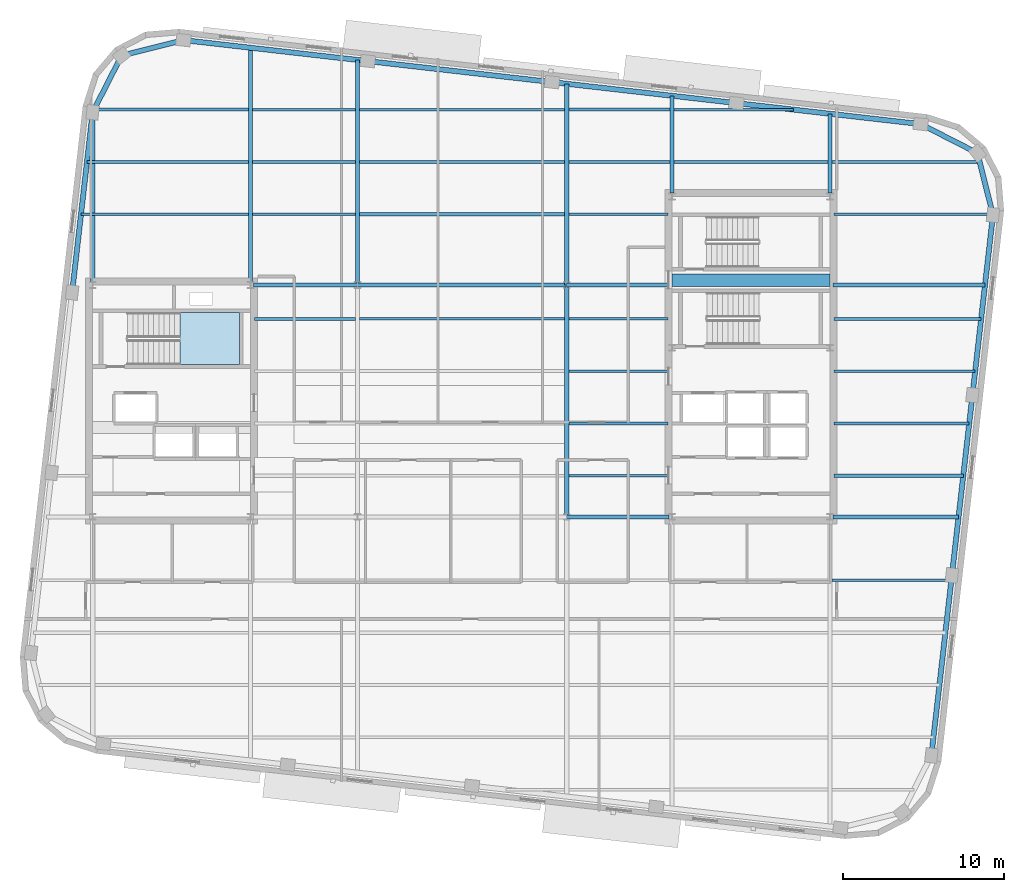
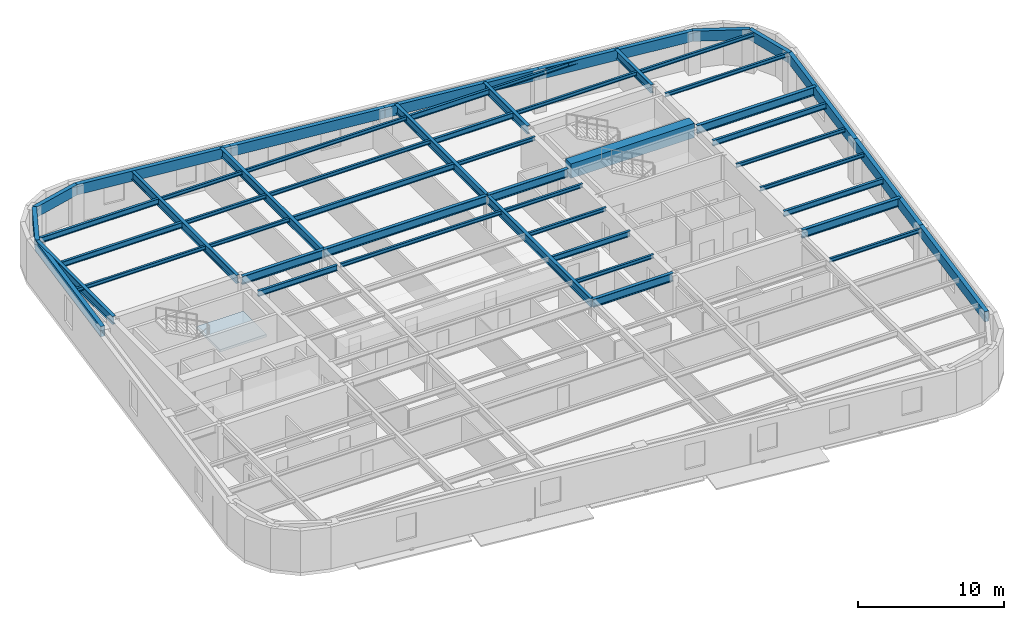
# One storey, part 4 of 13: 53 beams, 1 slab, 1 element without a shape of its own.
"""IFC4 building model written with IfcOpenShell, lengths in metres."""

from ifc_helpers import new_model, si_unit, direction, frame, origin, origin_2d, place, context, subcontext, project, spatial, polyline, rectangle, hollow_rectangle, i_section, outline, extrude, material, layer, layer_set, material_profile, profile_set, type_object, element, aggregate, save


model = new_model("IFC4")

# Units and contexts
model_context = context("Model", 3, precision=1e-05, world=origin(), true_north=direction((0.0, 1.0)))
body_context = subcontext(model_context, "Body", "Model", "MODEL_VIEW")
ifc_project = project(units=[si_unit("LENGTHUNIT", "METRE"), si_unit("AREAUNIT", "SQUARE_METRE"), si_unit("VOLUMEUNIT", "CUBIC_METRE"), si_unit("PLANEANGLEUNIT", "RADIAN"), si_unit("MASSUNIT", "GRAM", prefix="KILO")], contexts=[model_context])

# Site, building, storey
site_placement = place(None, origin())
site = spatial("IfcSite", under=ifc_project, at=site_placement, CompositionType="ELEMENT")
building_placement = place(site_placement, origin())
building = spatial("IfcBuilding", under=site, at=building_placement, Name="Kolvaren Arena Tower", CompositionType="ELEMENT")
storey_placement = place(building_placement, frame((0.0, 0.0, 243.449951171875)))
storey = spatial("IfcBuildingStorey", under=building, at=storey_placement, Name="L59", CompositionType="ELEMENT", Elevation=243.449951171875)

# Beams
ifc_material_1 = material(Name="Steel CSA G40.21 350W", Category="steel")
ifc_material_profile_1 = material_profile(ifc_material_1, i_section(OverallWidth=0.193115234375, OverallDepth=0.462890625, WebThickness=0.0107421875, FlangeThickness=0.0205078125, FilletRadius=0.012939453125, at=origin_2d()), Name="W460x113")
ifc_profile_set_1 = profile_set([ifc_material_profile_1], Name="Steel CSA G40.21 350W")
beam_type_1 = type_object("IfcBeamType", Name="BEAM-F2", PredefinedType="BEAM", material=ifc_profile_set_1)
beam_1_placement = place(storey_placement, frame((60.594970703125, 22.0, 3.24853515625), z_axis=(1.0, 0.0, 0.0), x_axis=(0.0, 1.0, 0.0)))
element("IfcBeam", 1, at=beam_1_placement, inside=storey, type_object=beam_type_1, Name="Composite Floor Beam (L59)", PredefinedType="BEAM", context=body_context, shape_type="SweptSolid", body=[
    extrude(i_section(OverallWidth=0.193115234375, OverallDepth=0.462890625, WebThickness=0.0107421875, FlangeThickness=0.0205078125, FilletRadius=0.012939453125, at=origin_2d()), origin(), (0.0, 0.0, 1.0), 8.041015625),
])
beam_2_placement = place(storey_placement, frame((44.12744140625, 25.25, 3.24853515625), z_axis=(1.0, 0.0, 0.0), x_axis=(0.0, 1.0, 0.0)))
element("IfcBeam", 2, at=beam_2_placement, inside=storey, type_object=beam_type_1, Name="Composite Floor Beam (L59)", PredefinedType="BEAM", context=body_context, shape_type="SweptSolid", body=[
    extrude(i_section(OverallWidth=0.193115234375, OverallDepth=0.462890625, WebThickness=0.0107421875, FlangeThickness=0.0205078125, FilletRadius=0.012939453125, at=origin_2d()), origin(), (0.0, 0.0, 1.0), 6.177490234375),
])
beam_3_placement = place(storey_placement, frame((24.594970703125, 31.75, 3.24853515625), z_axis=(1.0, 0.0, 0.0), x_axis=(0.0, 1.0, 0.0)))
element("IfcBeam", 3, at=beam_3_placement, inside=storey, type_object=beam_type_1, Name="Composite Floor Beam (L59)", PredefinedType="BEAM", context=body_context, shape_type="SweptSolid", body=[
    extrude(i_section(OverallWidth=0.193115234375, OverallDepth=0.462890625, WebThickness=0.0107421875, FlangeThickness=0.0205078125, FilletRadius=0.012939453125, at=origin_2d()), origin(), (0.0, 0.0, 1.0), 6.277587890625),
])
beam_4_placement = place(storey_placement, frame((60.594970703125, 31.75, 3.24853515625), z_axis=(1.0, 0.0, 0.0), x_axis=(0.0, 1.0, 0.0)))
element("IfcBeam", 4, at=beam_4_placement, inside=storey, type_object=beam_type_1, Name="Composite Floor Beam (L59)", PredefinedType="BEAM", context=body_context, shape_type="SweptSolid", body=[
    extrude(i_section(OverallWidth=0.193115234375, OverallDepth=0.462890625, WebThickness=0.0107421875, FlangeThickness=0.0205078125, FilletRadius=0.012939453125, at=origin_2d()), origin(), (0.0, 0.0, 1.0), 9.15185546875),
])
beam_5_placement = place(storey_placement, frame((31.12744140625, 38.25, 3.24853515625), z_axis=(1.0, 0.0, 0.0), x_axis=(0.0, 1.0, 0.0)))
element("IfcBeam", 5, at=beam_5_placement, inside=storey, type_object=beam_type_1, Name="Composite Floor Beam (L59)", PredefinedType="BEAM", context=body_context, shape_type="SweptSolid", body=[
    extrude(i_section(OverallWidth=0.193115234375, OverallDepth=0.462890625, WebThickness=0.0107421875, FlangeThickness=0.0205078125, FilletRadius=0.012939453125, at=origin_2d()), origin(), (0.0, 0.0, 1.0), 12.7451171875),
])
beam_6_placement = place(storey_placement, frame((14.193359375, 41.5, 3.24853515625), z_axis=(1.0, 0.0, 0.0), x_axis=(0.0, 1.0, 0.0)))
element("IfcBeam", 6, at=beam_6_placement, inside=storey, type_object=beam_type_1, Name="Composite Floor Beam (L59)", PredefinedType="BEAM", context=body_context, shape_type="SweptSolid", body=[
    extrude(i_section(OverallWidth=0.193115234375, OverallDepth=0.462890625, WebThickness=0.0107421875, FlangeThickness=0.0205078125, FilletRadius=0.012939453125, at=origin_2d()), origin(), (0.0, 0.0, 1.0), 10.029052734375),
])
beam_7_placement = place(storey_placement, frame((44.12744140625, 41.5, 3.24853515625), z_axis=(1.0, 0.0, 0.0), x_axis=(0.0, 1.0, 0.0)))
element("IfcBeam", 7, at=beam_7_placement, inside=storey, type_object=beam_type_1, Name="Composite Floor Beam (L59)", PredefinedType="BEAM", context=body_context, shape_type="SweptSolid", body=[
    extrude(i_section(OverallWidth=0.193115234375, OverallDepth=0.462890625, WebThickness=0.0107421875, FlangeThickness=0.0205078125, FilletRadius=0.012939453125, at=origin_2d()), origin(), (0.0, 0.0, 1.0), 6.295166015625),
])
beam_8_placement = place(storey_placement, frame((14.632080078125, 44.75, 3.24853515625), z_axis=(1.0, 0.0, 0.0), x_axis=(0.0, 1.0, 0.0)))
element("IfcBeam", 8, at=beam_8_placement, inside=storey, type_object=beam_type_1, Name="Composite Floor Beam (L59)", PredefinedType="BEAM", context=body_context, shape_type="SweptSolid", body=[
    extrude(i_section(OverallWidth=0.193115234375, OverallDepth=0.462890625, WebThickness=0.0107421875, FlangeThickness=0.0205078125, FilletRadius=0.012939453125, at=origin_2d()), origin(), (0.0, 0.0, 1.0), 9.59033203125),
])
beam_9_placement = place(storey_placement, frame((44.12744140625, 44.75, 3.24853515625), z_axis=(1.0, 0.0, 0.0), x_axis=(0.0, 1.0, 0.0)))
element("IfcBeam", 9, at=beam_9_placement, inside=storey, type_object=beam_type_1, Name="Composite Floor Beam (L59)", PredefinedType="BEAM", context=body_context, shape_type="SweptSolid", body=[
    extrude(i_section(OverallWidth=0.193115234375, OverallDepth=0.462890625, WebThickness=0.0107421875, FlangeThickness=0.0205078125, FilletRadius=0.012939453125, at=origin_2d()), origin(), (0.0, 0.0, 1.0), 6.295166015625),
])
ifc_material_2 = material(Name="Concrete 60 MPa", Category="concrete")
ifc_material_profile_2 = material_profile(ifc_material_2, rectangle(XDim=0.75, YDim=1.199951171875, at=origin_2d()), Name="RC-750x1200")
ifc_profile_set_2 = profile_set([ifc_material_profile_2], Name="Concrete 60 MPa")
beam_type_2 = type_object("IfcBeamType", Name="CB-CORE-2", PredefinedType="BEAM", material=ifc_profile_set_2)
beam_10_placement = place(storey_placement, frame((50.550048828125, 34.14990234375, 3.150146484375), z_axis=(1.0, 0.0, 0.0), x_axis=(0.0, 1.0, 0.0)))
element("IfcBeam", 10, at=beam_10_placement, inside=storey, type_object=beam_type_2, Name="East Core Coupling Beam (L59)", PredefinedType="BEAM", context=body_context, shape_type="SweptSolid", body=[
    extrude(rectangle(XDim=0.75, YDim=1.199951171875, at=origin_2d()), origin(), (0.0, 0.0, 1.0), 9.800048828125),
])
ifc_material_profile_3 = material_profile(ifc_material_1, i_section(OverallWidth=0.2548828125, OverallDepth=0.695068359375, WebThickness=0.01708984375, FlangeThickness=0.02978515625, FilletRadius=0.01611328125, at=origin_2d()), Name="W690x217")
ifc_profile_set_3 = profile_set([ifc_material_profile_3], Name="Steel CSA G40.21 350W")
beam_type_3 = type_object("IfcBeamType", Name="GIRD-T2", PredefinedType="BEAM", material=ifc_profile_set_3)
beam_11_placement = place(storey_placement, frame((44.0, 19.449951171875, 3.132568359375), z_axis=(1.0, 0.0, 0.0), x_axis=(0.0, 1.0, 0.0)))
element("IfcBeam", 11, at=beam_11_placement, inside=storey, type_object=beam_type_3, Name="Primary Floor Girder (L59)", PredefinedType="BEAM", context=body_context, shape_type="SweptSolid", body=[
    extrude(i_section(OverallWidth=0.2548828125, OverallDepth=0.695068359375, WebThickness=0.01708984375, FlangeThickness=0.02978515625, FilletRadius=0.01611328125, at=origin_2d()), origin(), (0.0, 0.0, 1.0), 6.344970703125),
])
beam_12_placement = place(storey_placement, frame((60.554931640625, 19.449951171875, 3.132568359375), z_axis=(1.0, 0.0, 0.0), x_axis=(0.0, 1.0, 0.0)))
element("IfcBeam", 12, at=beam_12_placement, inside=storey, type_object=beam_type_3, Name="Primary Floor Girder (L59)", PredefinedType="BEAM", context=body_context, shape_type="SweptSolid", body=[
    extrude(i_section(OverallWidth=0.2548828125, OverallDepth=0.695068359375, WebThickness=0.01708984375, FlangeThickness=0.02978515625, FilletRadius=0.01611328125, at=origin_2d()), origin(), (0.0, 0.0, 1.0), 7.790283203125),
])
beam_13_placement = place(storey_placement, frame((24.554931640625, 33.85009765625, 3.132568359375), z_axis=(1.0, 0.0, 0.0), x_axis=(0.0, 1.0, 0.0)))
element("IfcBeam", 13, at=beam_13_placement, inside=storey, type_object=beam_type_3, Name="Primary Floor Girder (L59)", PredefinedType="BEAM", context=body_context, shape_type="SweptSolid", body=[
    extrude(i_section(OverallWidth=0.2548828125, OverallDepth=0.695068359375, WebThickness=0.01708984375, FlangeThickness=0.02978515625, FilletRadius=0.01611328125, at=origin_2d()), origin(), (0.0, 0.0, 1.0), 6.445068359375),
])
beam_14_placement = place(storey_placement, frame((31.0, 33.85009765625, 3.132568359375), z_axis=(1.0, 0.0, 0.0), x_axis=(0.0, 1.0, 0.0)))
element("IfcBeam", 14, at=beam_14_placement, inside=storey, type_object=beam_type_3, Name="Primary Floor Girder (L59)", PredefinedType="BEAM", context=body_context, shape_type="SweptSolid", body=[
    extrude(i_section(OverallWidth=0.2548828125, OverallDepth=0.695068359375, WebThickness=0.01708984375, FlangeThickness=0.02978515625, FilletRadius=0.01611328125, at=origin_2d()), origin(), (0.0, 0.0, 1.0), 13.0),
])
beam_15_placement = place(storey_placement, frame((44.0, 33.85009765625, 3.132568359375), z_axis=(1.0, 0.0, 0.0), x_axis=(0.0, 1.0, 0.0)))
element("IfcBeam", 15, at=beam_15_placement, inside=storey, type_object=beam_type_3, Name="Primary Floor Girder (L59)", PredefinedType="BEAM", context=body_context, shape_type="SweptSolid", body=[
    extrude(i_section(OverallWidth=0.2548828125, OverallDepth=0.695068359375, WebThickness=0.01708984375, FlangeThickness=0.02978515625, FilletRadius=0.01611328125, at=origin_2d()), origin(), (0.0, 0.0, 1.0), 6.344970703125),
])
beam_16_placement = place(storey_placement, frame((60.554931640625, 33.85009765625, 3.132568359375), z_axis=(1.0, 0.0, 0.0), x_axis=(0.0, 1.0, 0.0)))
element("IfcBeam", 16, at=beam_16_placement, inside=storey, type_object=beam_type_3, Name="Primary Floor Girder (L59)", PredefinedType="BEAM", context=body_context, shape_type="SweptSolid", body=[
    extrude(i_section(OverallWidth=0.2548828125, OverallDepth=0.695068359375, WebThickness=0.01708984375, FlangeThickness=0.02978515625, FilletRadius=0.01611328125, at=origin_2d()), origin(), (0.0, 0.0, 1.0), 9.43115234375),
])
beam_17_placement = place(storey_placement, frame((14.550048828125, 34.054931640625, 3.132568359375), z_axis=(0.0, 1.0, 0.0), x_axis=(-1.0, 0.0, 0.0)))
element("IfcBeam", 17, at=beam_17_placement, inside=storey, type_object=beam_type_3, Name="Primary Floor Girder (L59)", PredefinedType="BEAM", context=body_context, shape_type="SweptSolid", body=[
    extrude(i_section(OverallWidth=0.2548828125, OverallDepth=0.695068359375, WebThickness=0.01708984375, FlangeThickness=0.02978515625, FilletRadius=0.01611328125, at=origin_2d()), origin(), (0.0, 0.0, 1.0), 10.53466796875),
])
beam_18_placement = place(storey_placement, frame((24.35009765625, 34.054931640625, 3.132568359375), z_axis=(0.0, 1.0, 0.0), x_axis=(-1.0, 0.0, 0.0)))
element("IfcBeam", 18, at=beam_18_placement, inside=storey, type_object=beam_type_3, Name="Primary Floor Girder (L59)", PredefinedType="BEAM", context=body_context, shape_type="SweptSolid", body=[
    extrude(i_section(OverallWidth=0.2548828125, OverallDepth=0.695068359375, WebThickness=0.01708984375, FlangeThickness=0.02978515625, FilletRadius=0.01611328125, at=origin_2d()), origin(), (0.0, 0.0, 1.0), 14.538818359375),
])
beam_19_placement = place(storey_placement, frame((31.0, 33.85009765625, 3.132568359375), z_axis=(0.0, 1.0, 0.0), x_axis=(-1.0, 0.0, 0.0)))
element("IfcBeam", 19, at=beam_19_placement, inside=storey, type_object=beam_type_3, Name="Primary Floor Girder (L59)", PredefinedType="BEAM", context=body_context, shape_type="SweptSolid", body=[
    extrude(i_section(OverallWidth=0.2548828125, OverallDepth=0.695068359375, WebThickness=0.01708984375, FlangeThickness=0.02978515625, FilletRadius=0.01611328125, at=origin_2d()), origin(), (0.0, 0.0, 1.0), 13.986083984375),
])
beam_20_placement = place(storey_placement, frame((44.0, 19.449951171875, 3.132568359375), z_axis=(0.0, 1.0, 0.0), x_axis=(-1.0, 0.0, 0.0)))
element("IfcBeam", 20, at=beam_20_placement, inside=storey, type_object=beam_type_3, Name="Primary Floor Girder (L59)", PredefinedType="BEAM", context=body_context, shape_type="SweptSolid", body=[
    extrude(i_section(OverallWidth=0.2548828125, OverallDepth=0.695068359375, WebThickness=0.01708984375, FlangeThickness=0.02978515625, FilletRadius=0.01611328125, at=origin_2d()), origin(), (0.0, 0.0, 1.0), 14.400146484375),
])
beam_21_placement = place(storey_placement, frame((44.0, 33.85009765625, 3.132568359375), z_axis=(0.0, 1.0, 0.0), x_axis=(-1.0, 0.0, 0.0)))
element("IfcBeam", 21, at=beam_21_placement, inside=storey, type_object=beam_type_3, Name="Primary Floor Girder (L59)", PredefinedType="BEAM", context=body_context, shape_type="SweptSolid", body=[
    extrude(i_section(OverallWidth=0.2548828125, OverallDepth=0.695068359375, WebThickness=0.01708984375, FlangeThickness=0.02978515625, FilletRadius=0.01611328125, at=origin_2d()), origin(), (0.0, 0.0, 1.0), 12.5048828125),
])
beam_22_placement = place(storey_placement, frame((50.550048828125, 39.554931640625, 3.132568359375), z_axis=(0.0, 1.0, 0.0), x_axis=(-1.0, 0.0, 0.0)))
element("IfcBeam", 22, at=beam_22_placement, inside=storey, type_object=beam_type_3, Name="Primary Floor Girder (L59)", PredefinedType="BEAM", context=body_context, shape_type="SweptSolid", body=[
    extrude(i_section(OverallWidth=0.2548828125, OverallDepth=0.695068359375, WebThickness=0.01708984375, FlangeThickness=0.02978515625, FilletRadius=0.01611328125, at=origin_2d()), origin(), (0.0, 0.0, 1.0), 6.0537109375),
])
beam_23_placement = place(storey_placement, frame((60.35009765625, 39.554931640625, 3.132568359375), z_axis=(0.0, 1.0, 0.0), x_axis=(-1.0, 0.0, 0.0)))
element("IfcBeam", 23, at=beam_23_placement, inside=storey, type_object=beam_type_3, Name="Primary Floor Girder (L59)", PredefinedType="BEAM", context=body_context, shape_type="SweptSolid", body=[
    extrude(i_section(OverallWidth=0.2548828125, OverallDepth=0.695068359375, WebThickness=0.01708984375, FlangeThickness=0.02978515625, FilletRadius=0.01611328125, at=origin_2d()), origin(), (0.0, 0.0, 1.0), 4.937255859375),
])
ifc_material_profile_4 = material_profile(ifc_material_1, i_section(OverallWidth=0.1669921875, OverallDepth=0.31689453125, WebThickness=0.007568359375, FlangeThickness=0.01318359375, FilletRadius=0.010009765625, at=origin_2d()), Name="W310x52")
ifc_profile_set_4 = profile_set([ifc_material_profile_4], Name="Steel CSA G40.21 350W")
beam_type_4 = type_object("IfcBeamType", Name="JOIST-02", PredefinedType="JOIST", material=ifc_profile_set_4)
beam_24_placement = place(storey_placement, frame((60.4775390625, 15.5, 3.321533203125), z_axis=(1.0, 0.0, 0.0), x_axis=(0.0, 1.0, 0.0)))
element("IfcBeam", 24, at=beam_24_placement, inside=storey, type_object=beam_type_4, Name="Composite Floor Joist (L59)", PredefinedType="JOIST", context=body_context, shape_type="SweptSolid", body=[
    extrude(i_section(OverallWidth=0.1669921875, OverallDepth=0.31689453125, WebThickness=0.007568359375, FlangeThickness=0.01318359375, FilletRadius=0.010009765625, at=origin_2d()), origin(), (0.0, 0.0, 1.0), 7.417724609375),
])
beam_25_placement = place(storey_placement, frame((44.12744140625, 22.0, 3.321533203125), z_axis=(1.0, 0.0, 0.0), x_axis=(0.0, 1.0, 0.0)))
element("IfcBeam", 25, at=beam_25_placement, inside=storey, type_object=beam_type_4, Name="Composite Floor Joist (L59)", PredefinedType="JOIST", context=body_context, shape_type="SweptSolid", body=[
    extrude(i_section(OverallWidth=0.1669921875, OverallDepth=0.31689453125, WebThickness=0.007568359375, FlangeThickness=0.01318359375, FilletRadius=0.010009765625, at=origin_2d()), origin(), (0.0, 0.0, 1.0), 6.177490234375),
])
beam_26_placement = place(storey_placement, frame((60.594970703125, 25.25, 3.321533203125), z_axis=(1.0, 0.0, 0.0), x_axis=(0.0, 1.0, 0.0)))
element("IfcBeam", 26, at=beam_26_placement, inside=storey, type_object=beam_type_4, Name="Composite Floor Joist (L59)", PredefinedType="JOIST", context=body_context, shape_type="SweptSolid", body=[
    extrude(i_section(OverallWidth=0.1669921875, OverallDepth=0.31689453125, WebThickness=0.007568359375, FlangeThickness=0.01318359375, FilletRadius=0.010009765625, at=origin_2d()), origin(), (0.0, 0.0, 1.0), 8.4111328125),
])
beam_27_placement = place(storey_placement, frame((44.12744140625, 28.5, 3.321533203125), z_axis=(1.0, 0.0, 0.0), x_axis=(0.0, 1.0, 0.0)))
element("IfcBeam", 27, at=beam_27_placement, inside=storey, type_object=beam_type_4, Name="Composite Floor Joist (L59)", PredefinedType="JOIST", context=body_context, shape_type="SweptSolid", body=[
    extrude(i_section(OverallWidth=0.1669921875, OverallDepth=0.31689453125, WebThickness=0.007568359375, FlangeThickness=0.01318359375, FilletRadius=0.010009765625, at=origin_2d()), origin(), (0.0, 0.0, 1.0), 6.177490234375),
])
beam_28_placement = place(storey_placement, frame((60.594970703125, 28.5, 3.321533203125), z_axis=(1.0, 0.0, 0.0), x_axis=(0.0, 1.0, 0.0)))
element("IfcBeam", 28, at=beam_28_placement, inside=storey, type_object=beam_type_4, Name="Composite Floor Joist (L59)", PredefinedType="JOIST", context=body_context, shape_type="SweptSolid", body=[
    extrude(i_section(OverallWidth=0.1669921875, OverallDepth=0.31689453125, WebThickness=0.007568359375, FlangeThickness=0.01318359375, FilletRadius=0.010009765625, at=origin_2d()), origin(), (0.0, 0.0, 1.0), 8.781494140625),
])
beam_29_placement = place(storey_placement, frame((31.12744140625, 31.75, 3.321533203125), z_axis=(1.0, 0.0, 0.0), x_axis=(0.0, 1.0, 0.0)))
element("IfcBeam", 29, at=beam_29_placement, inside=storey, type_object=beam_type_4, Name="Composite Floor Joist (L59)", PredefinedType="JOIST", context=body_context, shape_type="SweptSolid", body=[
    extrude(i_section(OverallWidth=0.1669921875, OverallDepth=0.31689453125, WebThickness=0.007568359375, FlangeThickness=0.01318359375, FilletRadius=0.010009765625, at=origin_2d()), origin(), (0.0, 0.0, 1.0), 12.7451171875),
])
beam_30_placement = place(storey_placement, frame((44.12744140625, 31.75, 3.321533203125), z_axis=(1.0, 0.0, 0.0), x_axis=(0.0, 1.0, 0.0)))
element("IfcBeam", 30, at=beam_30_placement, inside=storey, type_object=beam_type_4, Name="Composite Floor Joist (L59)", PredefinedType="JOIST", context=body_context, shape_type="SweptSolid", body=[
    extrude(i_section(OverallWidth=0.1669921875, OverallDepth=0.31689453125, WebThickness=0.007568359375, FlangeThickness=0.01318359375, FilletRadius=0.010009765625, at=origin_2d()), origin(), (0.0, 0.0, 1.0), 6.177490234375),
])
beam_31_placement = place(storey_placement, frame((13.822998046875, 38.25, 3.321533203125), z_axis=(1.0, 0.0, 0.0), x_axis=(0.0, 1.0, 0.0)))
element("IfcBeam", 31, at=beam_31_placement, inside=storey, type_object=beam_type_4, Name="Composite Floor Joist (L59)", PredefinedType="JOIST", context=body_context, shape_type="SweptSolid", body=[
    extrude(i_section(OverallWidth=0.1669921875, OverallDepth=0.31689453125, WebThickness=0.007568359375, FlangeThickness=0.01318359375, FilletRadius=0.010009765625, at=origin_2d()), origin(), (0.0, 0.0, 1.0), 10.3994140625),
])
beam_32_placement = place(storey_placement, frame((24.4775390625, 38.25, 3.321533203125), z_axis=(1.0, 0.0, 0.0), x_axis=(0.0, 1.0, 0.0)))
element("IfcBeam", 32, at=beam_32_placement, inside=storey, type_object=beam_type_4, Name="Composite Floor Joist (L59)", PredefinedType="JOIST", context=body_context, shape_type="SweptSolid", body=[
    extrude(i_section(OverallWidth=0.1669921875, OverallDepth=0.31689453125, WebThickness=0.007568359375, FlangeThickness=0.01318359375, FilletRadius=0.010009765625, at=origin_2d()), origin(), (0.0, 0.0, 1.0), 6.39501953125),
])
beam_33_placement = place(storey_placement, frame((44.12744140625, 38.25, 3.321533203125), z_axis=(1.0, 0.0, 0.0), x_axis=(0.0, 1.0, 0.0)))
element("IfcBeam", 33, at=beam_33_placement, inside=storey, type_object=beam_type_4, Name="Composite Floor Joist (L59)", PredefinedType="JOIST", context=body_context, shape_type="SweptSolid", body=[
    extrude(i_section(OverallWidth=0.1669921875, OverallDepth=0.31689453125, WebThickness=0.007568359375, FlangeThickness=0.01318359375, FilletRadius=0.010009765625, at=origin_2d()), origin(), (0.0, 0.0, 1.0), 6.177490234375),
])
beam_34_placement = place(storey_placement, frame((60.594970703125, 38.25, 3.321533203125), z_axis=(1.0, 0.0, 0.0), x_axis=(0.0, 1.0, 0.0)))
element("IfcBeam", 34, at=beam_34_placement, inside=storey, type_object=beam_type_4, Name="Composite Floor Joist (L59)", PredefinedType="JOIST", context=body_context, shape_type="SweptSolid", body=[
    extrude(i_section(OverallWidth=0.1669921875, OverallDepth=0.31689453125, WebThickness=0.007568359375, FlangeThickness=0.01318359375, FilletRadius=0.010009765625, at=origin_2d()), origin(), (0.0, 0.0, 1.0), 9.8759765625),
])
beam_35_placement = place(storey_placement, frame((24.4775390625, 41.5, 3.321533203125), z_axis=(1.0, 0.0, 0.0), x_axis=(0.0, 1.0, 0.0)))
element("IfcBeam", 35, at=beam_35_placement, inside=storey, type_object=beam_type_4, Name="Composite Floor Joist (L59)", PredefinedType="JOIST", context=body_context, shape_type="SweptSolid", body=[
    extrude(i_section(OverallWidth=0.1669921875, OverallDepth=0.31689453125, WebThickness=0.007568359375, FlangeThickness=0.01318359375, FilletRadius=0.010009765625, at=origin_2d()), origin(), (0.0, 0.0, 1.0), 6.39501953125),
])
beam_36_placement = place(storey_placement, frame((31.12744140625, 41.5, 3.321533203125), z_axis=(1.0, 0.0, 0.0), x_axis=(0.0, 1.0, 0.0)))
element("IfcBeam", 36, at=beam_36_placement, inside=storey, type_object=beam_type_4, Name="Composite Floor Joist (L59)", PredefinedType="JOIST", context=body_context, shape_type="SweptSolid", body=[
    extrude(i_section(OverallWidth=0.1669921875, OverallDepth=0.31689453125, WebThickness=0.007568359375, FlangeThickness=0.01318359375, FilletRadius=0.010009765625, at=origin_2d()), origin(), (0.0, 0.0, 1.0), 12.7451171875),
])
beam_37_placement = place(storey_placement, frame((50.677490234375, 41.5, 3.321533203125), z_axis=(1.0, 0.0, 0.0), x_axis=(0.0, 1.0, 0.0)))
element("IfcBeam", 37, at=beam_37_placement, inside=storey, type_object=beam_type_4, Name="Composite Floor Joist (L59)", PredefinedType="JOIST", context=body_context, shape_type="SweptSolid", body=[
    extrude(i_section(OverallWidth=0.1669921875, OverallDepth=0.31689453125, WebThickness=0.007568359375, FlangeThickness=0.01318359375, FilletRadius=0.010009765625, at=origin_2d()), origin(), (0.0, 0.0, 1.0), 9.544921875),
])
beam_38_placement = place(storey_placement, frame((60.4775390625, 41.5, 3.321533203125), z_axis=(1.0, 0.0, 0.0), x_axis=(0.0, 1.0, 0.0)))
element("IfcBeam", 38, at=beam_38_placement, inside=storey, type_object=beam_type_4, Name="Composite Floor Joist (L59)", PredefinedType="JOIST", context=body_context, shape_type="SweptSolid", body=[
    extrude(i_section(OverallWidth=0.1669921875, OverallDepth=0.31689453125, WebThickness=0.007568359375, FlangeThickness=0.01318359375, FilletRadius=0.010009765625, at=origin_2d()), origin(), (0.0, 0.0, 1.0), 9.17919921875),
])
beam_39_placement = place(storey_placement, frame((24.4775390625, 44.75, 3.321533203125), z_axis=(1.0, 0.0, 0.0), x_axis=(0.0, 1.0, 0.0)))
element("IfcBeam", 39, at=beam_39_placement, inside=storey, type_object=beam_type_4, Name="Composite Floor Joist (L59)", PredefinedType="JOIST", context=body_context, shape_type="SweptSolid", body=[
    extrude(i_section(OverallWidth=0.1669921875, OverallDepth=0.31689453125, WebThickness=0.007568359375, FlangeThickness=0.01318359375, FilletRadius=0.010009765625, at=origin_2d()), origin(), (0.0, 0.0, 1.0), 6.39501953125),
])
beam_40_placement = place(storey_placement, frame((31.12744140625, 44.75, 3.321533203125), z_axis=(1.0, 0.0, 0.0), x_axis=(0.0, 1.0, 0.0)))
element("IfcBeam", 40, at=beam_40_placement, inside=storey, type_object=beam_type_4, Name="Composite Floor Joist (L59)", PredefinedType="JOIST", context=body_context, shape_type="SweptSolid", body=[
    extrude(i_section(OverallWidth=0.1669921875, OverallDepth=0.31689453125, WebThickness=0.007568359375, FlangeThickness=0.01318359375, FilletRadius=0.010009765625, at=origin_2d()), origin(), (0.0, 0.0, 1.0), 12.7451171875),
])
beam_41_placement = place(storey_placement, frame((50.677490234375, 44.75, 3.321533203125), z_axis=(1.0, 0.0, 0.0), x_axis=(0.0, 1.0, 0.0)))
element("IfcBeam", 41, at=beam_41_placement, inside=storey, type_object=beam_type_4, Name="Composite Floor Joist (L59)", PredefinedType="JOIST", context=body_context, shape_type="SweptSolid", body=[
    extrude(i_section(OverallWidth=0.1669921875, OverallDepth=0.31689453125, WebThickness=0.007568359375, FlangeThickness=0.01318359375, FilletRadius=0.010009765625, at=origin_2d()), origin(), (0.0, 0.0, 1.0), 7.40869140625),
])
ifc_material_3 = material(Name="Steel CSA G40.21 350WT", Category="steel")
ifc_material_profile_5 = material_profile(ifc_material_3, hollow_rectangle(XDim=0.320068359375, YDim=0.860107421875, WallThickness=0.01806640625, at=origin_2d()), Name="HSS 860x320x18")
ifc_profile_set_5 = profile_set([ifc_material_profile_5], Name="Steel CSA G40.21 350WT")
beam_type_5 = type_object("IfcBeamType", Name="SPAND-02", PredefinedType="SPANDREL", material=ifc_profile_set_5)
beam_42_placement = place(storey_placement, frame((66.656005859375, 4.6220703125, 3.050048828125), z_axis=(0.113201896536, 0.993572005755, 0.0), x_axis=(-0.993572005755, 0.113201896536, 0.0)))
element("IfcBeam", 42, at=beam_42_placement, inside=storey, type_object=beam_type_5, Name="Perimeter Spandrel Beam (L59)", PredefinedType="SPANDREL", context=body_context, shape_type="SweptSolid", body=[
    extrude(hollow_rectangle(XDim=0.320068359375, YDim=0.860107421875, WallThickness=0.01806640625, at=origin_2d()), origin(), (0.0, 0.0, 1.0), 11.2666015625),
])
beam_43_placement = place(storey_placement, frame((67.931396484375, 15.816162109375, 3.050048828125), z_axis=(0.113199459318, 0.993572283435, 0.0), x_axis=(-0.993572283435, 0.113199459318, 0.0)))
element("IfcBeam", 43, at=beam_43_placement, inside=storey, type_object=beam_type_5, Name="Perimeter Spandrel Beam (L59)", PredefinedType="SPANDREL", context=body_context, shape_type="SweptSolid", body=[
    extrude(hollow_rectangle(XDim=0.320068359375, YDim=0.860107421875, WallThickness=0.01806640625, at=origin_2d()), origin(), (0.0, 0.0, 1.0), 11.266845703125),
])
beam_44_placement = place(storey_placement, frame((69.206787109375, 27.010498046875, 3.050048828125), z_axis=(0.113201896536, 0.993572005755, 0.0), x_axis=(-0.993572005755, 0.113201896536, 0.0)))
element("IfcBeam", 44, at=beam_44_placement, inside=storey, type_object=beam_type_5, Name="Perimeter Spandrel Beam (L59)", PredefinedType="SPANDREL", context=body_context, shape_type="SweptSolid", body=[
    extrude(hollow_rectangle(XDim=0.320068359375, YDim=0.860107421875, WallThickness=0.01806640625, at=origin_2d()), origin(), (0.0, 0.0, 1.0), 11.2666015625),
])
for number, where, z_axis, x_axis, name in (
    (45, (70.482177734375, 38.20458984375, 3.050048828125), (-0.242956154878, 0.970037270834, 0.0), (-0.970037270834, -0.242956154878, 0.0), "Perimeter Spandrel Beam (L59)"),
    (46, (69.519775390625, 42.047119140625, 3.050048828125), (-0.890535676656, 0.454913407807, 0.0), (-0.454913407807, -0.890535676656, 0.0), "Perimeter Spandrel Beam (L59)"),
):
    element("IfcBeam", number, at=place(storey_placement, frame(where, z_axis=z_axis, x_axis=x_axis)), inside=storey, type_object=beam_type_5, Name=name, PredefinedType="SPANDREL", context=body_context, shape_type="SweptSolid", body=[
        extrude(hollow_rectangle(XDim=0.320068359375, YDim=0.860107421875, WallThickness=0.01806640625, at=origin_2d()), origin(), (0.0, 0.0, 1.0), 3.961181640625),
    ])
beam_45_placement = place(storey_placement, frame((65.9921875, 43.84912109375, 3.050048828125), z_axis=(-0.993571397957, 0.113207231049, 0.0), x_axis=(-0.113207231049, -0.993571397957, 0.0)))
element("IfcBeam", 47, at=beam_45_placement, inside=storey, type_object=beam_type_5, Name="Perimeter Spandrel Beam (L59)", PredefinedType="SPANDREL", context=body_context, shape_type="SweptSolid", body=[
    extrude(hollow_rectangle(XDim=0.320068359375, YDim=0.860107421875, WallThickness=0.01806640625, at=origin_2d()), origin(), (0.0, 0.0, 1.0), 11.524658203125),
])
for number, where, z_axis, x_axis, name in (
    (48, (54.54150390625, 45.15380859375, 3.050048828125), (-0.99357166944, 0.113204848336, 0.0), (-0.113204848336, -0.99357166944, 0.0), "Perimeter Spandrel Beam (L59)"),
    (49, (43.090576171875, 46.45849609375, 3.050048828125), (-0.99357166944, 0.113204848336, 0.0), (-0.113204848336, -0.99357166944, 0.0), "Perimeter Spandrel Beam (L59)"),
    (50, (31.6396484375, 47.76318359375, 3.050048828125), (-0.99357166944, 0.113204848336, 0.0), (-0.113204848336, -0.99357166944, 0.0), "Perimeter Spandrel Beam (L59)"),
):
    element("IfcBeam", number, at=place(storey_placement, frame(where, z_axis=z_axis, x_axis=x_axis)), inside=storey, type_object=beam_type_5, Name=name, PredefinedType="SPANDREL", context=body_context, shape_type="SweptSolid", body=[
        extrude(hollow_rectangle(XDim=0.320068359375, YDim=0.860107421875, WallThickness=0.01806640625, at=origin_2d()), origin(), (0.0, 0.0, 1.0), 11.52490234375),
    ])
for number, where, z_axis, x_axis, name in (
    (51, (20.188720703125, 49.06787109375, 3.050048828125), (-0.970037270834, -0.242956154878, 0.0), (0.242956154878, -0.970037270834, 0.0), "Perimeter Spandrel Beam (L59)"),
    (52, (16.34619140625, 48.10546875, 3.050048828125), (-0.454913407807, -0.890535676656, 0.0), (0.890535676656, -0.454913407807, 0.0), "Perimeter Spandrel Beam (L59)"),
):
    element("IfcBeam", number, at=place(storey_placement, frame(where, z_axis=z_axis, x_axis=x_axis)), inside=storey, type_object=beam_type_5, Name=name, PredefinedType="SPANDREL", context=body_context, shape_type="SweptSolid", body=[
        extrude(hollow_rectangle(XDim=0.320068359375, YDim=0.860107421875, WallThickness=0.01806640625, at=origin_2d()), origin(), (0.0, 0.0, 1.0), 3.961181640625),
    ])
beam_46_placement = place(storey_placement, frame((14.544189453125, 44.577880859375, 3.050048828125), z_axis=(-0.113201896536, -0.993572005755, 0.0), x_axis=(0.993572005755, -0.113201896536, 0.0)))
element("IfcBeam", 53, at=beam_46_placement, inside=storey, type_object=beam_type_5, Name="Perimeter Spandrel Beam (L59)", PredefinedType="SPANDREL", context=body_context, shape_type="SweptSolid", body=[
    extrude(hollow_rectangle(XDim=0.320068359375, YDim=0.860107421875, WallThickness=0.01806640625, at=origin_2d()), origin(), (0.0, 0.0, 1.0), 11.2666015625),
])

# Stair, slab
ifc_material_4 = material(Name="Concrete 45 MPa", Category="concrete")
stair_type = type_object("IfcStairType", Name="STAIR-CORE-165", PredefinedType="HALF_TURN_STAIR", material=ifc_material_4)
stair_placement = place(storey_placement, origin())
stair = element("IfcStair", 54, at=stair_placement, inside=storey, type_object=stair_type, Name="L59 ST-W1", PredefinedType="HALF_TURN_STAIR")
ifc_layer = layer(ifc_material_4, 0.199951171875)
ifc_layer_set = layer_set([ifc_layer], Name="Concrete 45 MPa")
slab_type = type_object("IfcSlabType", Name="SLAB-LAND", PredefinedType="LANDING", material=ifc_layer_set)
slab_placement = place(storey_placement, frame((0.0, 0.0, 1.675048828125)))
slab = element("IfcSlab", 55, at=slab_placement, type_object=slab_type, Name="ST-W1 landing 1", PredefinedType="LANDING", context=body_context, shape_type="SweptSolid", body=[
    extrude(outline(polyline([(19.9599609375, 28.89990234375), (23.659912109375, 28.89990234375), (23.659912109375, 32.1298828125), (19.9599609375, 32.1298828125), (19.9599609375, 28.89990234375)])), origin(), (0.0, 0.0, 1.0), 0.199951171875),
])
aggregate(stair, [slab])

save(model, "model.ifc")
